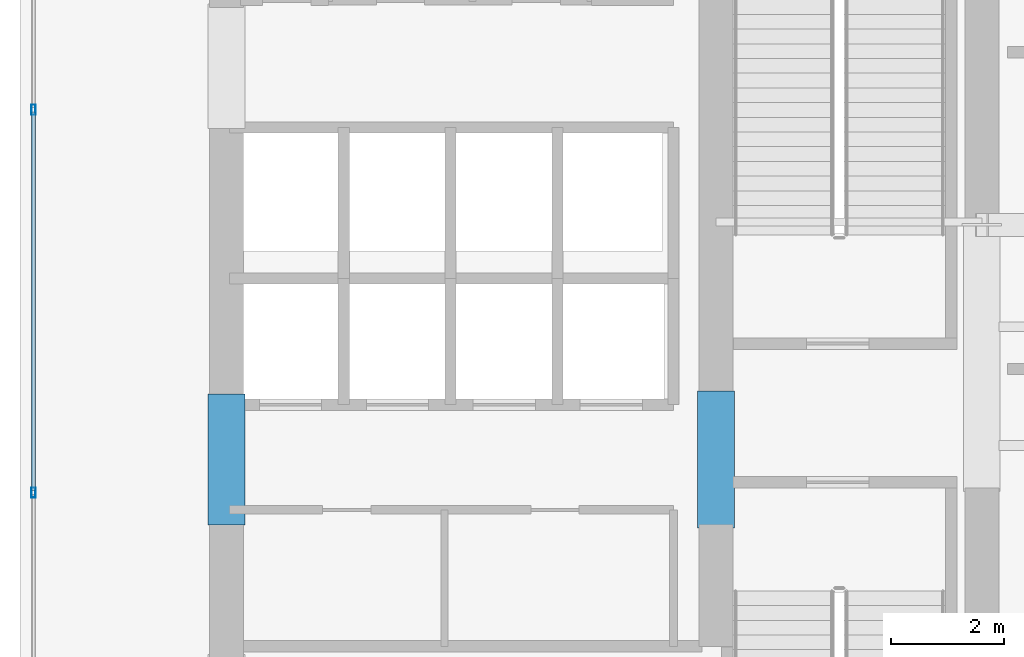
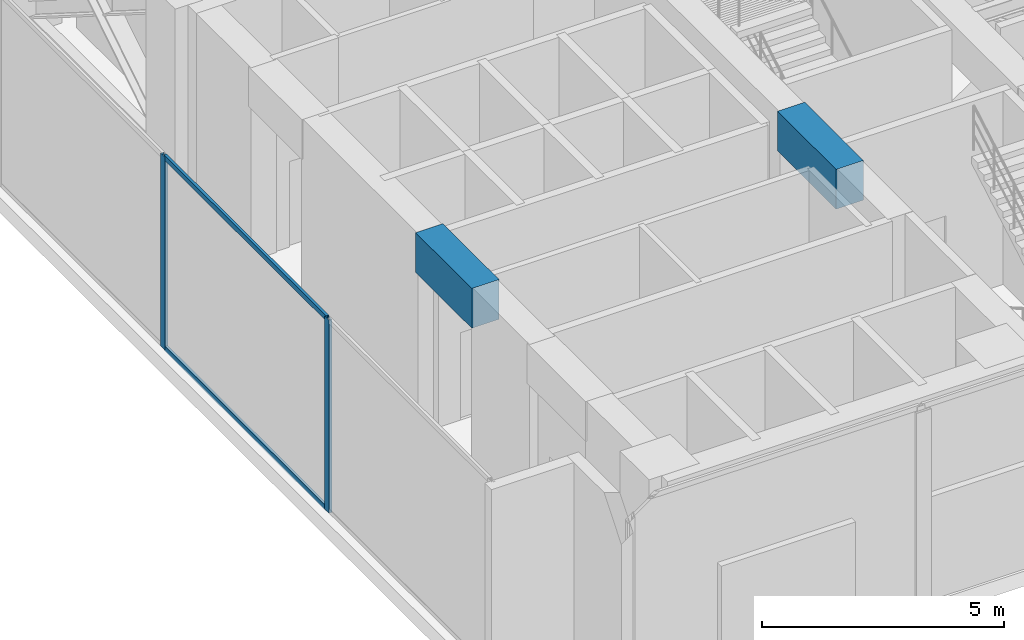
# One storey, part 4 of 36: 4 members, 2 beams, 1 element without a shape of its own.
"""IFC4 building model written with IfcOpenShell, lengths in metres."""

from ifc_helpers import new_model, si_unit, direction, frame, origin, origin_with_axes, origin_2d, place, context, subcontext, project, spatial, rectangle, hollow_rectangle, extrude, source, transform, mapped, material, layer, layer_set, material_profile, profile_set, type_object, element, aggregate, save


model = new_model("IFC4")

# Units and contexts
model_context = context("Model", 3, precision=1e-05, world=origin(), true_north=direction((0.0, 1.0)))
body_context = subcontext(model_context, "Body", "Model", "MODEL_VIEW")
ifc_project = project(units=[si_unit("LENGTHUNIT", "METRE"), si_unit("AREAUNIT", "SQUARE_METRE"), si_unit("VOLUMEUNIT", "CUBIC_METRE"), si_unit("PLANEANGLEUNIT", "RADIAN"), si_unit("MASSUNIT", "GRAM", prefix="KILO")], contexts=[model_context])

# Site, building, storey
site_placement = place(None, origin())
site = spatial("IfcSite", under=ifc_project, at=site_placement, CompositionType="ELEMENT")
building_placement = place(site_placement, origin())
building = spatial("IfcBuilding", under=site, at=building_placement, Name="Kolvaren Waterfront Exchange", CompositionType="ELEMENT")
storey_placement = place(building_placement, frame((0.0, 0.0, 199.39990234375)))
storey = spatial("IfcBuildingStorey", under=building, at=storey_placement, Name="L51", CompositionType="ELEMENT", Elevation=199.39990234375)

# Beams
ifc_material_1 = material(Name="Concrete C60/75", Category="concrete")
ifc_material_profile_1 = material_profile(ifc_material_1, rectangle(XDim=0.64990234375, YDim=1.0, at=origin_2d()), Name="RC-CB-1000x650")
ifc_profile_set_1 = profile_set([ifc_material_profile_1], Name="Concrete C60/75")
beam_type = type_object("IfcBeamType", Name="STR-CB-1000", PredefinedType="SPANDREL", material=ifc_profile_set_1)
beam_1_placement = place(storey_placement, frame((7.449951171875, 12.090087890625, 4.360107421875), z_axis=(0.0, 1.0, 0.0), x_axis=(-1.0, 0.0, 0.0)))
element("IfcBeam", 1, at=beam_1_placement, inside=storey, type_object=beam_type, Name="L51 core coupling beam 4", PredefinedType="SPANDREL", context=body_context, shape_type="SweptSolid", body=[
    extrude(rectangle(XDim=0.64990234375, YDim=1.0, at=origin_2d()), origin(), (0.0, 0.0, 1.0), 2.31982421875),
])
beam_2_placement = place(storey_placement, frame((16.10009765625, 12.0400390625, 4.360107421875), z_axis=(0.0, 1.0, 0.0), x_axis=(-1.0, 0.0, 0.0)))
element("IfcBeam", 2, at=beam_2_placement, inside=storey, type_object=beam_type, Name="L51 core coupling beam 6", PredefinedType="SPANDREL", context=body_context, shape_type="SweptSolid", body=[
    extrude(rectangle(XDim=0.64990234375, YDim=1.0, at=origin_2d()), origin(), (0.0, 0.0, 1.0), 2.419921875),
])

# Curtain wall, members
ifc_material_2 = material(Name="Anodised dark bronze spandrel aluminium", Category="aluminium")
ifc_layer = layer(ifc_material_2, 0.219970703125, Name="Anodised dark bronze spandrel aluminium")
ifc_layer_set = layer_set([ifc_layer], Name="Anodised dark bronze spandrel aluminium")
curtain_wall_type = type_object("IfcCurtainWallType", Name="ARC-CW-SYS6", PredefinedType="USERDEFINED", material=ifc_layer_set)
curtain_wall_placement = place(storey_placement, origin())
curtain_wall = element("IfcCurtainWall", 3, at=curtain_wall_placement, inside=storey, type_object=curtain_wall_type, Name="L51 stick curtain wall CW6 (CW-L51-W)", ObjectType="STICK CURTAIN WALL", PredefinedType="USERDEFINED")
ifc_material_3 = material(Name="Anodised bronze aluminium 6063-T6", Category="aluminium")
ifc_material_profile_2 = material_profile(ifc_material_3, hollow_rectangle(XDim=0.074951171875, YDim=0.179931640625, WallThickness=0.00439453125, at=origin_2d()), Name="ALU-MUL-180x75x4.5")
ifc_profile_set_2 = profile_set([ifc_material_profile_2], Name="Anodised bronze aluminium 6063-T6")
member_type_1 = type_object("IfcMemberType", Name="ARC-CWM-180", PredefinedType="MULLION", material=ifc_profile_set_2)
shared_shape_1 = source(origin_with_axes(), body_context, "Body", "SweptSolid", [
    extrude(hollow_rectangle(XDim=0.074951171875, YDim=0.179931640625, WallThickness=0.00439453125, at=origin_2d()), origin(), (0.0, 0.0, 1.0), 4.860107421875),
])
member_1_placement = place(storey_placement, frame((4.0400390625, 12.666748046875, 0.0), z_axis=(0.0, 0.0, 1.0), x_axis=(-1.0, 0.0, 0.0)))
member_1 = element("IfcMember", 4, at=member_1_placement, type_object=member_type_1, Name="CW6 mullion 2", PredefinedType="MULLION", context=body_context, shape_type="MappedRepresentation", body=[
    mapped(shared_shape_1, transform((0.0, 0.0, 0.0), x_axis=(1.0, 0.0, 0.0), y_axis=(0.0, 1.0, 0.0), z_axis=(0.0, 0.0, 1.0), scale=1.0)),
])
member_2_placement = place(storey_placement, frame((4.0400390625, 19.433349609375, 0.0), z_axis=(0.0, 0.0, 1.0), x_axis=(-1.0, 0.0, 0.0)))
member_2 = element("IfcMember", 5, at=member_2_placement, type_object=member_type_1, Name="CW6 mullion 3", PredefinedType="MULLION", context=body_context, shape_type="MappedRepresentation", body=[
    mapped(shared_shape_1, transform((0.0, 0.0, 0.0), x_axis=(1.0, 0.0, 0.0), y_axis=(0.0, 1.0, 0.0), z_axis=(0.0, 0.0, 1.0), scale=1.0)),
])
ifc_material_profile_3 = material_profile(ifc_material_3, hollow_rectangle(XDim=0.06494140625, YDim=0.1298828125, WallThickness=0.00390625, at=origin_2d()), Name="ALU-TRN-130x65x4")
ifc_profile_set_3 = profile_set([ifc_material_profile_3], Name="Anodised bronze aluminium 6063-T6")
member_type_2 = type_object("IfcMemberType", Name="ARC-CWT-130", PredefinedType="USERDEFINED", material=ifc_profile_set_3)
shared_shape_2 = source(origin_with_axes(), body_context, "Body", "SweptSolid", [
    extrude(hollow_rectangle(XDim=0.06494140625, YDim=0.1298828125, WallThickness=0.00390625, at=origin_2d()), origin(), (0.0, 0.0, 1.0), 6.691650390625),
])
member_3_placement = place(storey_placement, frame((4.0400390625, 12.7041015625, 0.03271484375), z_axis=(0.0, 1.0, 0.0), x_axis=(-1.0, 0.0, 0.0)))
member_3 = element("IfcMember", 6, at=member_3_placement, type_object=member_type_2, Name="CW6 transom 2.1", ObjectType="TRANSOM", PredefinedType="USERDEFINED", context=body_context, shape_type="MappedRepresentation", body=[
    mapped(shared_shape_2, transform((0.0, 0.0, 0.0), x_axis=(1.0, 0.0, 0.0), y_axis=(0.0, 1.0, 0.0), z_axis=(0.0, 0.0, 1.0), scale=1.0)),
])
member_4_placement = place(storey_placement, frame((4.0400390625, 12.7041015625, 4.82763671875), z_axis=(0.0, 1.0, 0.0), x_axis=(-1.0, 0.0, 0.0)))
member_4 = element("IfcMember", 7, at=member_4_placement, type_object=member_type_2, Name="CW6 transom 2.2", ObjectType="TRANSOM", PredefinedType="USERDEFINED", context=body_context, shape_type="MappedRepresentation", body=[
    mapped(shared_shape_2, transform((0.0, 0.0, 0.0), x_axis=(1.0, 0.0, 0.0), y_axis=(0.0, 1.0, 0.0), z_axis=(0.0, 0.0, 1.0), scale=1.0)),
])
aggregate(curtain_wall, [member_1, member_2, member_3, member_4])

save(model, "model.ifc")
